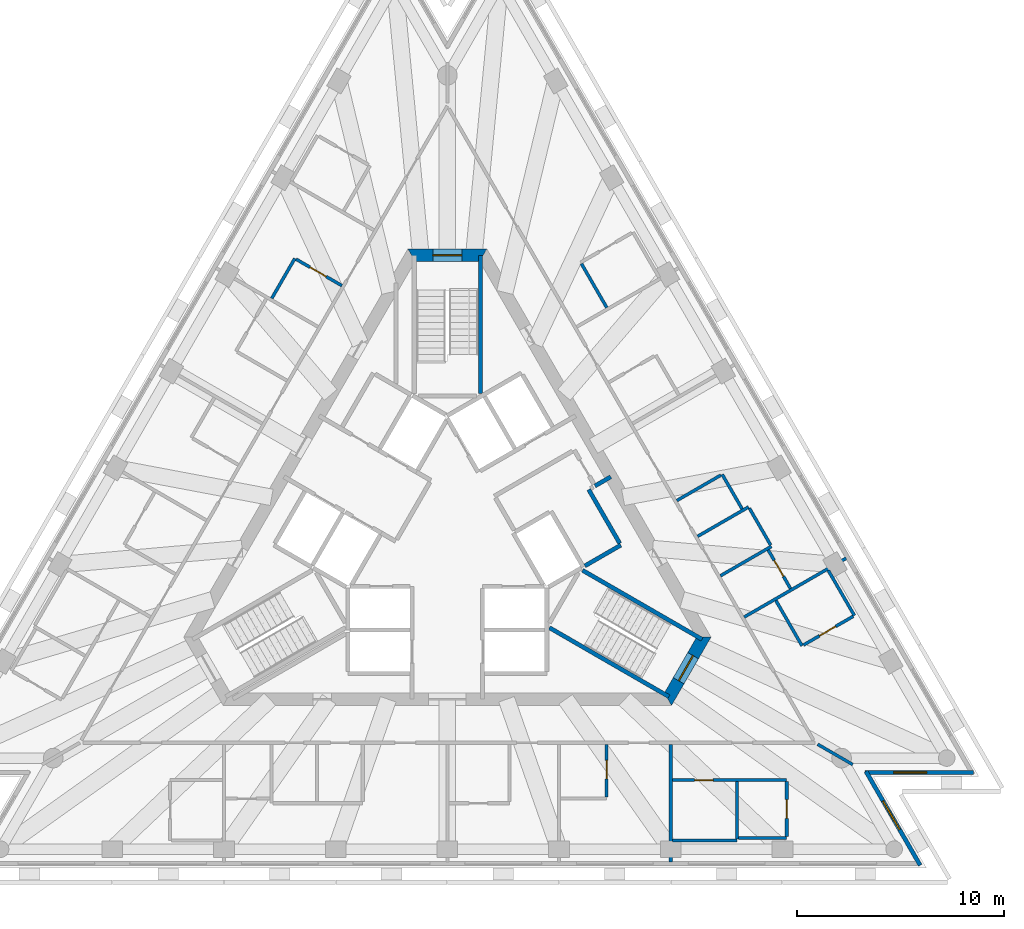
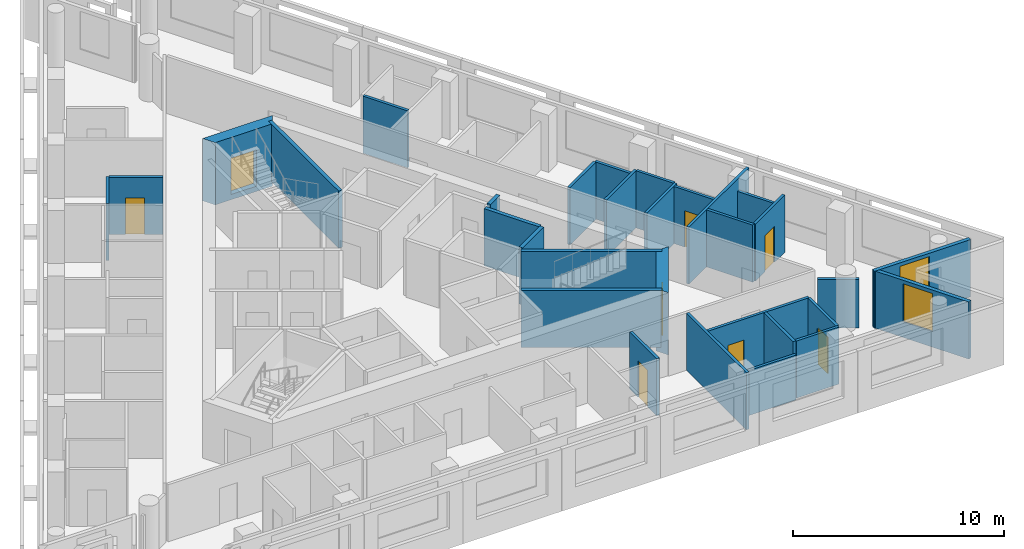
# One storey, part 6 of 10: 31 walls, 8 doors, 2 windows, 10 openings.
"""IFC4 building model written with IfcOpenShell, lengths in metres."""

from ifc_helpers import new_model, si_unit, direction, frame, frame_2d, origin, place, context, subcontext, project, spatial, polyline, rectangle, outline, extrude, material, layer, layer_set, layer_usage, type_object, element, fill, save


model = new_model("IFC4")

# Units and contexts
model_context = context("Model", 3, precision=1e-05, world=origin(), true_north=direction((0.0, 1.0)))
body_context = subcontext(model_context, "Body", "Model", "MODEL_VIEW")
ifc_project = project(units=[si_unit("LENGTHUNIT", "METRE"), si_unit("AREAUNIT", "SQUARE_METRE"), si_unit("VOLUMEUNIT", "CUBIC_METRE"), si_unit("PLANEANGLEUNIT", "RADIAN"), si_unit("MASSUNIT", "GRAM", prefix="KILO")], contexts=[model_context])

# Site, building, storey
site_placement = place(None, origin())
site = spatial("IfcSite", under=ifc_project, at=site_placement, CompositionType="ELEMENT")
building_placement = place(site_placement, origin())
building = spatial("IfcBuilding", under=site, at=building_placement, Name="Triada Interchange Tower", CompositionType="ELEMENT")
storey_placement = place(building_placement, frame((0.0, 0.0, 289.89990234375)))
storey = spatial("IfcBuildingStorey", under=building, at=storey_placement, Name="L68", CompositionType="ELEMENT", Elevation=289.89990234375)

# Walls
ifc_material_1 = material(Name="Concrete C30/37", Category="concrete")
ifc_layer_1 = layer(ifc_material_1, 0.199951171875)
ifc_layer_set_1 = layer_set([ifc_layer_1], Name="CORE WALL 200 EI 120")
wall_type_1 = type_object("IfcWallType", Name="CORE WALL 200 EI 120", PredefinedType="SOLIDWALL", material=ifc_layer_set_1)
wall_1_placement = place(storey_placement, frame((7.12890625, 2.153076171875, 0.0), z_axis=(0.0, 0.0, 1.0), x_axis=(0.866083962871, 0.499898558967, 0.0)))
element("IfcWall", 1, at=wall_1_placement, inside=storey, type_object=wall_type_1, Name="Wall L68 87", PredefinedType="SOLIDWALL", context=body_context, shape_type="SweptSolid", body=[
    extrude(rectangle(XDim=0.880126953125, YDim=0.199951171875, at=frame_2d((0.43994140625, 0.0))), origin(), (0.0, 0.0, 1.0), 3.300048828125),
])
ifc_layer_2 = layer(ifc_material_1, 0.199951171875)
ifc_layer_set_2 = layer_set([ifc_layer_2], Name="CORE WALL 200 EI 90")
wall_type_2 = type_object("IfcWallType", Name="CORE WALL 200 EI 90", PredefinedType="SOLIDWALL", material=ifc_layer_set_2)
wall_2_placement = place(storey_placement, frame((6.64208984375, -1.7080078125, 0.0), z_axis=(0.0, 0.0, 1.0), x_axis=(0.866043441391, 0.499968756647, 0.0)))
element("IfcWall", 2, at=wall_2_placement, inside=storey, type_object=wall_type_2, Name="Wall L68 109", PredefinedType="SOLIDWALL", context=body_context, shape_type="SweptSolid", body=[
    extrude(rectangle(XDim=2.002197265625, YDim=0.199951171875, at=frame_2d((1.0009765625, 0.0))), origin(), (0.0, 0.0, 1.0), 3.300048828125),
])
wall_3_placement = place(storey_placement, frame((6.825927734375, 1.97802734375, 0.0), z_axis=(0.0, 0.0, 1.0), x_axis=(0.499990139034, -0.866031096941, 0.0)))
element("IfcWall", 3, at=wall_3_placement, inside=storey, type_object=wall_type_2, Name="Wall L68 110", PredefinedType="SOLIDWALL", context=body_context, shape_type="SweptSolid", body=[
    extrude(rectangle(XDim=3.0, YDim=0.199951171875, at=frame_2d((1.5, 0.0))), origin(), (0.0, 0.0, 1.0), 3.300048828125),
])
ifc_layer_3 = layer(ifc_material_1, 0.199951171875)
ifc_layer_set_3 = layer_set([ifc_layer_3], Name="CORE WALL 200 REI 240")
wall_type_3 = type_object("IfcWallType", Name="CORE WALL 200 REI 240", PredefinedType="SOLIDWALL", material=ifc_layer_set_3)
for number, where, z_axis, x_axis, name in (
    (4, (1.60009765625, 6.614990234375, 0.0), (0.0, 0.0, 1.0), (0.0, 1.0, 0.0), "Wall L68 115"),
    (5, (4.928955078125, -4.693115234375, 0.0), (0.0, 0.0, 1.0), (0.866005022404, -0.500035299925, 0.0), "Wall L68 118"),
):
    element("IfcWall", number, at=place(storey_placement, frame(where, z_axis=z_axis, x_axis=x_axis)), inside=storey, type_object=wall_type_3, Name=name, PredefinedType="SOLIDWALL", context=body_context, shape_type="SweptSolid", body=[
        extrude(rectangle(XDim=6.6650390625, YDim=0.199951171875, at=frame_2d((3.33251953125, 0.0))), origin(), (0.0, 0.0, 1.0), 3.300048828125),
    ])
wall_4_placement = place(storey_placement, frame((6.529052734375, -1.922119140625, 0.0), z_axis=(0.0, 0.0, 1.0), x_axis=(0.866068467981, -0.499925403204, 0.0)))
element("IfcWall", 6, at=wall_4_placement, inside=storey, type_object=wall_type_3, Name="Wall L68 120", PredefinedType="SOLIDWALL", context=body_context, shape_type="SweptSolid", body=[
    extrude(rectangle(XDim=6.66455078125, YDim=0.199951171875, at=frame_2d((3.332275390625, 0.0))), origin(), (0.0, 0.0, 1.0), 3.300048828125),
])

# Wall, opening, door
ifc_material_2 = material(Name="Concrete C40/50", Category="concrete")
ifc_layer_4 = layer(ifc_material_2, 0.60009765625)
ifc_layer_set_4 = layer_set([ifc_layer_4], Name="Core wall D 600")
wall_type_4 = type_object("IfcWallType", Name="Core wall D 600", PredefinedType="SHEAR", material=ifc_layer_set_4)
wall_5_placement = place(storey_placement, frame((1.73193359375, 13.300048828125, -0.2998046875), z_axis=(0.0, 0.0, 1.0), x_axis=(-1.0, 0.0, 0.0)))
wall_5 = element("IfcWall", 7, at=wall_5_placement, inside=storey, type_object=wall_type_4, Name="Core wall WD01 L68", PredefinedType="SHEAR", context=body_context, shape_type="SweptSolid", body=[
    extrude(outline(polyline([(-0.173095703125, -0.300048828125), (1.73193359375, -0.300048828125), (3.636962890625, -0.300048828125), (3.291015625, 0.300048828125), (1.73193359375, 0.300048828125), (0.173095703125, 0.300048828125), (-0.173095703125, -0.300048828125)])), origin(), (0.0, 0.0, 1.0), 3.599853515625),
])
opening_1_placement = place(wall_5_placement, frame((1.031982421875, 0.0, 0.300048828125)))
opening_1 = element("IfcOpeningElement", 8, at=opening_1_placement, cuts=wall_5, Name="Opening D68-48", PredefinedType="OPENING", context=body_context, shape_type="SweptSolid", body=[
    extrude(rectangle(XDim=1.39990234375, YDim=2.10009765625, at=frame_2d((0.699951171875, 1.050048828125))), frame((0.0, 0.31005859375, 0.0), z_axis=(0.0, -1.0, 0.0), x_axis=(1.0, 0.0, 0.0)), (0.0, 0.0, 1.0), 0.6201171875),
])
ifc_material_3 = material(Name="Steel S235 door leaf", Category="steel")
door_type_1 = type_object("IfcDoorType", Name="STAIR DOOR 1400 EI2 90-C5S200", OperationType="DOUBLE_DOOR_SINGLE_SWING", PredefinedType="DOOR", material=ifc_material_3)
door_1_placement = place(opening_1_placement, origin())
door_1 = element("IfcDoor", 9, at=door_1_placement, inside=storey, type_object=door_type_1, Name="Door D68-48 L68", OperationType="DOUBLE_DOOR_SINGLE_SWING", OverallHeight=2.10009765625, OverallWidth=1.39990234375, PredefinedType="DOOR", context=body_context, shape_type="SweptSolid", body=[
    extrude(rectangle(XDim=1.39990234375, YDim=2.10009765625, at=frame_2d((0.699951171875, 1.050048828125))), frame((0.0, 0.02490234375, 0.0), z_axis=(0.0, -1.0, 0.0), x_axis=(1.0, 0.0, 0.0)), (0.0, 0.0, 1.0), 0.050048828125),
])
fill(opening_1, door_1)

wall_6_placement = place(storey_placement, frame((10.652099609375, -8.14990234375, -0.2998046875), z_axis=(0.0, 0.0, 1.0), x_axis=(0.49997462182, 0.866040055388, 0.0)))
wall_6 = element("IfcWall", 10, at=wall_6_placement, inside=storey, type_object=wall_type_4, Name="Core wall WD05 L68", PredefinedType="SHEAR", context=body_context, shape_type="SweptSolid", body=[
    extrude(outline(polyline([(-0.173095703125, -0.300048828125), (1.732421875, -0.300537109375), (3.637939453125, -0.301025390625), (3.291015625, 0.300048828125), (1.73193359375, 0.300048828125), (0.173095703125, 0.300048828125), (-0.173095703125, -0.300048828125)])), origin(), (0.0, 0.0, 1.0), 3.599853515625),
])
opening_2_placement = place(wall_6_placement, frame((1.031982421875, 0.0, 0.300048828125)))
opening_2 = element("IfcOpeningElement", 11, at=opening_2_placement, cuts=wall_6, Name="Opening D68-50", PredefinedType="OPENING", context=body_context, shape_type="SweptSolid", body=[
    extrude(rectangle(XDim=1.39990234375, YDim=2.10009765625, at=frame_2d((0.699951171875, 1.050048828125))), frame((0.0, 0.31005859375, 0.0), z_axis=(0.0, -1.0, 0.0), x_axis=(1.0, 0.0, 0.0)), (0.0, 0.0, 1.0), 0.62109375),
])
door_2_placement = place(opening_2_placement, origin())
door_2 = element("IfcDoor", 12, at=door_2_placement, inside=storey, type_object=door_type_1, Name="Door D68-50 L68", OperationType="DOUBLE_DOOR_SINGLE_SWING", OverallHeight=2.10009765625, OverallWidth=1.39990234375, PredefinedType="DOOR", context=body_context, shape_type="SweptSolid", body=[
    extrude(rectangle(XDim=1.39990234375, YDim=2.10009765625, at=frame_2d((0.699951171875, 1.050048828125))), frame((0.0, 0.02490234375, 0.0), z_axis=(0.0, -1.0, 0.0), x_axis=(1.0, 0.0, 0.0)), (0.0, 0.0, 1.0), 0.050048828125),
])
fill(opening_2, door_2)

# Wall, opening, window
ifc_material_4 = material(Name="Cement board")
ifc_layer_5 = layer(ifc_material_4, 0.02001953125, Name="Cement board cladding")
ifc_material_5 = material(Name="Sheathing board")
ifc_layer_6 = layer(ifc_material_5, 0.014892578125, Name="Sheathing board")
ifc_material_6 = material(Name="Mineral wool")
ifc_layer_7 = layer(ifc_material_6, 0.14990234375, Name="Mineral wool between steel studs")
ifc_material_7 = material(Name="Gypsum board")
ifc_layer_8 = layer(ifc_material_7, 0.014892578125, Name="Plasterboard lining")
ifc_layer_set_5 = layer_set([ifc_layer_5, ifc_layer_6, ifc_layer_7, ifc_layer_8], Name="External wall 200")
ifc_layer_usage = layer_usage(ifc_layer_set_5, "AXIS2", "POSITIVE", -0.10009765625)
wall_type_5 = type_object("IfcWallType", Name="External wall 200", PredefinedType="ELEMENTEDWALL", material=ifc_layer_set_5)
wall_7_placement = place(storey_placement, frame((22.8349609375, -16.16796875, 0.0), z_axis=(0.0, 0.0, 1.0), x_axis=(-0.499933584342, 0.866063745487, 0.0)))
wall_7 = element("IfcWall", 13, at=wall_7_placement, inside=storey, type_object=wall_type_5, material=ifc_layer_usage, Name="External wall L68 SE-1", PredefinedType="ELEMENTEDWALL", context=body_context, shape_type="SweptSolid", body=[
    extrude(rectangle(XDim=5.238525390625, YDim=0.199951171875, at=frame_2d((2.619140625, 0.0))), origin(), (0.0, 0.0, 1.0), 3.300048828125),
])
opening_3_placement = place(wall_7_placement, frame((1.989990234375, 0.0, 0.89990234375)))
opening_3 = element("IfcOpeningElement", 14, at=opening_3_placement, cuts=wall_7, Name="Opening WD19", PredefinedType="OPENING", context=body_context, shape_type="SweptSolid", body=[
    extrude(rectangle(XDim=1.60009765625, YDim=2.199951171875, at=frame_2d((0.800048828125, 1.10009765625))), frame((0.0, 0.10986328125, 0.0), z_axis=(0.0, -1.0, 0.0), x_axis=(1.0, 0.0, 0.0)), (0.0, 0.0, 1.0), 0.219970703125),
])
ifc_material_8 = material(Name="Double glazed aluminium window", Category="aluminium")
window_type = type_object("IfcWindowType", Name="Ribbon window D pocket", PartitioningType="SINGLE_PANEL", PredefinedType="WINDOW", material=ifc_material_8)
window_1_placement = place(opening_3_placement, origin())
window_1 = element("IfcWindow", 15, at=window_1_placement, inside=storey, type_object=window_type, Name="Window L68 SE-1 1", OverallHeight=2.199951171875, OverallWidth=1.60009765625, PartitioningType="SINGLE_PANEL", PredefinedType="WINDOW", context=body_context, shape_type="SweptSolid", body=[
    extrude(rectangle(XDim=1.60009765625, YDim=2.199951171875, at=frame_2d((0.800048828125, 1.10009765625))), frame((0.0, 0.030029296875, 0.0), z_axis=(0.0, -1.0, 0.0), x_axis=(1.0, 0.0, 0.0)), (0.0, 0.0, 1.0), 0.06005859375),
])
fill(opening_3, window_1)

wall_8_placement = place(storey_placement, frame((20.160888671875, -11.69189453125, 0.0), z_axis=(0.0, 0.0, 1.0), x_axis=(1.0, 0.0, 0.0)))
wall_8 = element("IfcWall", 16, at=wall_8_placement, inside=storey, type_object=wall_type_5, material=ifc_layer_usage, Name="External wall L68 SE-2", PredefinedType="ELEMENTEDWALL", context=body_context, shape_type="SweptSolid", body=[
    extrude(rectangle(XDim=5.239013671875, YDim=0.199951171875, at=frame_2d((2.61962890625, 0.0))), origin(), (0.0, 0.0, 1.0), 3.300048828125),
])
opening_4_placement = place(wall_8_placement, frame((1.389892578125, 0.0, 0.89990234375)))
opening_4 = element("IfcOpeningElement", 17, at=opening_4_placement, cuts=wall_8, Name="Opening WD20", PredefinedType="OPENING", context=body_context, shape_type="SweptSolid", body=[
    extrude(rectangle(XDim=1.60009765625, YDim=2.199951171875, at=frame_2d((0.800048828125, 1.10009765625))), frame((0.0, 0.10986328125, 0.0), z_axis=(0.0, -1.0, 0.0), x_axis=(1.0, 0.0, 0.0)), (0.0, 0.0, 1.0), 0.219970703125),
])
window_2_placement = place(opening_4_placement, origin())
window_2 = element("IfcWindow", 18, at=window_2_placement, inside=storey, type_object=window_type, Name="Window L68 SE-2 1", OverallHeight=2.199951171875, OverallWidth=1.60009765625, PartitioningType="SINGLE_PANEL", PredefinedType="WINDOW", context=body_context, shape_type="SweptSolid", body=[
    extrude(rectangle(XDim=1.60009765625, YDim=2.199951171875, at=frame_2d((0.800048828125, 1.10009765625))), frame((0.0, 0.030029296875, 0.0), z_axis=(0.0, -1.0, 0.0), x_axis=(1.0, 0.0, 0.0)), (0.0, 0.0, 1.0), 0.06005859375),
])
fill(opening_4, window_2)

# Walls
ifc_material_9 = material(Name="Gypsum board partition")
ifc_layer_9 = layer(ifc_material_9, 0.14990234375)
ifc_layer_set_6 = layer_set([ifc_layer_9], Name="PARTITION 150 EI 180")
wall_type_6 = type_object("IfcWallType", Name="PARTITION 150 EI 180", PredefinedType="PARTITIONING", material=ifc_layer_set_6)
wall_9_placement = place(storey_placement, frame((17.883056640625, -10.324951171875, 0.0), z_axis=(0.0, 0.0, 1.0), x_axis=(0.865973311606, -0.500090215447, 0.0)))
element("IfcWall", 19, at=wall_9_placement, inside=storey, type_object=wall_type_6, Name="Wall L68 8", PredefinedType="PARTITIONING", context=body_context, shape_type="SweptSolid", body=[
    extrude(rectangle(XDim=1.953857421875, YDim=0.14990234375, at=frame_2d((0.97705078125, 0.0))), origin(), (0.0, 0.0, 1.0), 2.800048828125),
])
wall_10_placement = place(storey_placement, frame((10.7890625, -16.010009765625, 0.0), z_axis=(0.0, 0.0, 1.0), x_axis=(0.0, 1.0, 0.0)))
element("IfcWall", 20, at=wall_10_placement, inside=storey, type_object=wall_type_6, Name="Wall L68 21", PredefinedType="PARTITIONING", context=body_context, shape_type="SweptSolid", body=[
    extrude(rectangle(XDim=5.68505859375, YDim=0.14990234375, at=frame_2d((2.842529296875, 0.0))), origin(), (0.0, 0.0, 1.0), 3.300048828125),
])
wall_11_placement = place(storey_placement, frame((13.27294921875, 2.7109375, 0.0), z_axis=(0.0, 0.0, 1.0), x_axis=(0.499671230855, -0.86621513555, 0.0)))
element("IfcWall", 21, at=wall_11_placement, inside=storey, type_object=wall_type_6, Name="Wall L68 22", PredefinedType="PARTITIONING", context=body_context, shape_type="SweptSolid", body=[
    extrude(rectangle(XDim=1.925537109375, YDim=0.14990234375, at=frame_2d((0.962890625, 0.0))), origin(), (0.0, 0.0, 1.0), 3.300048828125),
])
wall_12_placement = place(storey_placement, frame((11.0859375, 1.447998046875, 0.0), z_axis=(0.0, 0.0, 1.0), x_axis=(0.8660395779, 0.499975448907, 0.0)))
element("IfcWall", 22, at=wall_12_placement, inside=storey, type_object=wall_type_6, Name="Wall L68 23", PredefinedType="PARTITIONING", context=body_context, shape_type="SweptSolid", body=[
    extrude(rectangle(XDim=2.4501953125, YDim=0.14990234375, at=frame_2d((1.22509765625, 0.0))), origin(), (0.0, 0.0, 1.0), 3.300048828125),
])
wall_13_placement = place(storey_placement, frame((12.0859375, -0.283935546875, 0.0), z_axis=(0.0, 0.0, 1.0), x_axis=(0.865995540999, 0.500051720295, 0.0)))
element("IfcWall", 23, at=wall_13_placement, inside=storey, type_object=wall_type_6, Name="Wall L68 24", PredefinedType="PARTITIONING", context=body_context, shape_type="SweptSolid", body=[
    extrude(rectangle(XDim=2.845458984375, YDim=0.14990234375, at=frame_2d((1.4228515625, 0.0))), origin(), (0.0, 0.0, 1.0), 3.300048828125),
])
wall_14_placement = place(storey_placement, frame((13.18603515625, -2.18896484375, 0.0), z_axis=(0.0, 0.0, 1.0), x_axis=(0.866122712398, 0.499831418649, 0.0)))
element("IfcWall", 24, at=wall_14_placement, inside=storey, type_object=wall_type_6, Name="Wall L68 25", PredefinedType="PARTITIONING", context=body_context, shape_type="SweptSolid", body=[
    extrude(rectangle(XDim=2.8447265625, YDim=0.14990234375, at=frame_2d((1.42236328125, 0.0))), origin(), (0.0, 0.0, 1.0), 3.300048828125),
])
wall_15_placement = place(storey_placement, frame((14.3359375, -4.180908203125, 0.0), z_axis=(0.0, 0.0, 1.0), x_axis=(0.86606758311, 0.499926936147, 0.0)))
element("IfcWall", 25, at=wall_15_placement, inside=storey, type_object=wall_type_6, Name="Wall L68 26", PredefinedType="PARTITIONING", context=body_context, shape_type="SweptSolid", body=[
    extrude(rectangle(XDim=5.684326171875, YDim=0.14990234375, at=frame_2d((2.84228515625, 0.0))), origin(), (0.0, 0.0, 1.0), 3.300048828125),
])
wall_16_placement = place(storey_placement, frame((14.587890625, 1.073974609375, 0.0), z_axis=(0.0, 0.0, 1.0), x_axis=(0.499942325911, -0.866058699375, 0.0)))
element("IfcWall", 26, at=wall_16_placement, inside=storey, type_object=wall_type_6, Name="Wall L68 27", PredefinedType="PARTITIONING", context=body_context, shape_type="SweptSolid", body=[
    extrude(rectangle(XDim=2.050537109375, YDim=0.14990234375, at=frame_2d((1.025390625, 0.0))), origin(), (0.0, 0.0, 1.0), 3.300048828125),
])
ifc_layer_10 = layer(ifc_material_9, 0.14990234375)
ifc_layer_set_7 = layer_set([ifc_layer_10], Name="PARTITION 150 EI 90")
wall_type_7 = type_object("IfcWallType", Name="PARTITION 150 EI 90", PredefinedType="PARTITIONING", material=ifc_layer_set_7)
wall_17_placement = place(storey_placement, frame((-8.47998046875, 11.2119140625, 0.0), z_axis=(0.0, 0.0, 1.0), x_axis=(0.499833278392, 0.866121639155, 0.0)))
element("IfcWall", 27, at=wall_17_placement, inside=storey, type_object=wall_type_7, Name="Wall L68 39", PredefinedType="PARTITIONING", context=body_context, shape_type="SweptSolid", body=[
    extrude(rectangle(XDim=2.224853515625, YDim=0.14990234375, at=frame_2d((1.1123046875, 0.0))), origin(), (0.0, 0.0, 1.0), 3.300048828125),
])

# Wall, opening, door
wall_18_placement = place(storey_placement, frame((10.864013671875, -12.050048828125, 0.0), z_axis=(0.0, 0.0, 1.0), x_axis=(1.0, 0.0, 0.0)))
wall_18 = element("IfcWall", 28, at=wall_18_placement, inside=storey, type_object=wall_type_7, Name="Wall L68 42", PredefinedType="PARTITIONING", context=body_context, shape_type="SweptSolid", body=[
    extrude(rectangle(XDim=5.52490234375, YDim=0.14990234375, at=frame_2d((2.762451171875, 0.0))), origin(), (0.0, 0.0, 1.0), 3.300048828125),
])
opening_5_placement = place(wall_18_placement, frame((1.074951171875, 0.0, 0.0)))
opening_5 = element("IfcOpeningElement", 29, at=opening_5_placement, cuts=wall_18, Name="Opening D68-22", PredefinedType="OPENING", context=body_context, shape_type="SweptSolid", body=[
    extrude(rectangle(XDim=0.89990234375, YDim=2.10009765625, at=frame_2d((0.449951171875, 1.050048828125))), frame((0.0, 0.0849609375, 0.0), z_axis=(0.0, -1.0, 0.0), x_axis=(1.0, 0.0, 0.0)), (0.0, 0.0, 1.0), 0.169921875),
])
door_type_2 = type_object("IfcDoorType", Name="ROOM DOOR 900 EI2 45-C5S200", OperationType="NOTDEFINED", PredefinedType="DOOR", material=ifc_material_3)
door_3_placement = place(opening_5_placement, origin())
door_3 = element("IfcDoor", 30, at=door_3_placement, inside=storey, type_object=door_type_2, Name="Door D68-22 L68", OperationType="SINGLE_SWING_RIGHT", OverallHeight=2.10009765625, OverallWidth=0.89990234375, PredefinedType="DOOR", context=body_context, shape_type="SweptSolid", body=[
    extrude(rectangle(XDim=0.89990234375, YDim=2.10009765625, at=frame_2d((0.449951171875, 1.050048828125))), frame((0.0, 0.02490234375, 0.0), z_axis=(0.0, -1.0, 0.0), x_axis=(1.0, 0.0, 0.0)), (0.0, 0.0, 1.0), 0.050048828125),
])
fill(opening_5, door_3)

# Wall
wall_19_placement = place(storey_placement, frame((10.864013671875, -14.969970703125, 0.0), z_axis=(0.0, 0.0, 1.0), x_axis=(1.0, 0.0, 0.0)))
element("IfcWall", 31, at=wall_19_placement, inside=storey, type_object=wall_type_7, Name="Wall L68 45", PredefinedType="PARTITIONING", context=body_context, shape_type="SweptSolid", body=[
    extrude(rectangle(XDim=3.125, YDim=0.14990234375, at=frame_2d((1.5625, 0.0))), origin(), (0.0, 0.0, 1.0), 2.60009765625),
])

# Wall, opening, door
wall_20_placement = place(storey_placement, frame((7.694091796875, -12.875, 0.0), z_axis=(0.0, 0.0, 1.0), x_axis=(0.0, 1.0, 0.0)))
wall_20 = element("IfcWall", 32, at=wall_20_placement, inside=storey, type_object=wall_type_7, Name="Wall L68 52", PredefinedType="PARTITIONING", context=body_context, shape_type="SweptSolid", body=[
    extrude(rectangle(XDim=2.550048828125, YDim=0.14990234375, at=frame_2d((1.27490234375, 0.0))), origin(), (0.0, 0.0, 1.0), 3.300048828125),
])
opening_6_placement = place(wall_20_placement, frame((0.875, 0.0, 0.0)))
opening_6 = element("IfcOpeningElement", 33, at=opening_6_placement, cuts=wall_20, Name="Opening D68-20", PredefinedType="OPENING", context=body_context, shape_type="SweptSolid", body=[
    extrude(rectangle(XDim=0.89990234375, YDim=2.10009765625, at=frame_2d((0.449951171875, 1.050048828125))), frame((0.0, 0.0849609375, 0.0), z_axis=(0.0, -1.0, 0.0), x_axis=(1.0, 0.0, 0.0)), (0.0, 0.0, 1.0), 0.169921875),
])
door_4_placement = place(opening_6_placement, origin())
door_4 = element("IfcDoor", 34, at=door_4_placement, inside=storey, type_object=door_type_2, Name="Door D68-20 L68", OperationType="SINGLE_SWING_RIGHT", OverallHeight=2.10009765625, OverallWidth=0.89990234375, PredefinedType="DOOR", context=body_context, shape_type="SweptSolid", body=[
    extrude(rectangle(XDim=0.89990234375, YDim=2.10009765625, at=frame_2d((0.449951171875, 1.050048828125))), frame((0.0, 0.02490234375, 0.0), z_axis=(0.0, -1.0, 0.0), x_axis=(1.0, 0.0, 0.0)), (0.0, 0.0, 1.0), 0.050048828125),
])
fill(opening_6, door_4)

wall_21_placement = place(storey_placement, frame((15.4970703125, -0.94189453125, 0.0), z_axis=(0.0, 0.0, 1.0), x_axis=(0.499961633463, -0.866047553582, 0.0)))
wall_21 = element("IfcWall", 35, at=wall_21_placement, inside=storey, type_object=wall_type_7, Name="Wall L68 54", PredefinedType="PARTITIONING", context=body_context, shape_type="SweptSolid", body=[
    extrude(rectangle(XDim=2.150146484375, YDim=0.14990234375, at=frame_2d((1.0751953125, 0.0))), origin(), (0.0, 0.0, 1.0), 3.300048828125),
])
opening_7_placement = place(wall_21_placement, frame((0.574951171875, 0.0, 0.0)))
opening_7 = element("IfcOpeningElement", 36, at=opening_7_placement, cuts=wall_21, Name="Opening D68-27", PredefinedType="OPENING", context=body_context, shape_type="SweptSolid", body=[
    extrude(rectangle(XDim=0.89990234375, YDim=2.10009765625, at=frame_2d((0.449951171875, 1.050048828125))), frame((0.0, 0.0849609375, 0.0), z_axis=(0.0, -1.0, 0.0), x_axis=(1.0, 0.0, 0.0)), (0.0, 0.0, 1.0), 0.169921875),
])
door_5_placement = place(opening_7_placement, origin())
door_5 = element("IfcDoor", 37, at=door_5_placement, inside=storey, type_object=door_type_2, Name="Door D68-27 L68", OperationType="SINGLE_SWING_LEFT", OverallHeight=2.10009765625, OverallWidth=0.89990234375, PredefinedType="DOOR", context=body_context, shape_type="SweptSolid", body=[
    extrude(rectangle(XDim=0.89990234375, YDim=2.10009765625, at=frame_2d((0.449951171875, 1.050048828125))), frame((0.0, 0.02490234375, 0.0), z_axis=(0.0, -1.0, 0.0), x_axis=(1.0, 0.0, 0.0)), (0.0, 0.0, 1.0), 0.050048828125),
])
fill(opening_7, door_5)

# Walls
wall_22_placement = place(storey_placement, frame((18.39599609375, -1.924072265625, 0.0), z_axis=(0.0, 0.0, 1.0), x_axis=(0.500246986138, -0.865882759304, 0.0)))
element("IfcWall", 38, at=wall_22_placement, inside=storey, type_object=wall_type_7, Name="Wall L68 57", PredefinedType="PARTITIONING", context=body_context, shape_type="SweptSolid", body=[
    extrude(rectangle(XDim=2.524658203125, YDim=0.14990234375, at=frame_2d((1.26220703125, 0.0))), origin(), (0.0, 0.0, 1.0), 2.60009765625),
])
wall_23_placement = place(storey_placement, frame((6.47607421875, 12.884033203125, 0.0), z_axis=(0.0, 0.0, 1.0), x_axis=(0.499900713578, -0.866082719239, 0.0)))
element("IfcWall", 39, at=wall_23_placement, inside=storey, type_object=wall_type_7, Name="Wall L68 59", PredefinedType="PARTITIONING", context=body_context, shape_type="SweptSolid", body=[
    extrude(rectangle(XDim=2.4501953125, YDim=0.14990234375, at=frame_2d((1.22509765625, 0.0))), origin(), (0.0, 0.0, 1.0), 3.300048828125),
])
wall_24_placement = place(storey_placement, frame((15.867919921875, -3.384033203125, 0.0), z_axis=(0.0, 0.0, 1.0), x_axis=(0.499956887143, -0.866050293573, 0.0)))
element("IfcWall", 40, at=wall_24_placement, inside=storey, type_object=wall_type_7, Name="Wall L68 60", PredefinedType="PARTITIONING", context=body_context, shape_type="SweptSolid", body=[
    extrude(rectangle(XDim=2.524169921875, YDim=0.14990234375, at=frame_2d((1.26220703125, 0.0))), origin(), (0.0, 0.0, 1.0), 3.300048828125),
])
wall_25_placement = place(storey_placement, frame((13.989013671875, -14.89501953125, 0.0), z_axis=(0.0, 0.0, 1.0), x_axis=(0.0, 1.0, 0.0)))
element("IfcWall", 41, at=wall_25_placement, inside=storey, type_object=wall_type_7, Name="Wall L68 61", PredefinedType="PARTITIONING", context=body_context, shape_type="SweptSolid", body=[
    extrude(rectangle(XDim=2.77001953125, YDim=0.14990234375, at=frame_2d((1.385009765625, 0.0))), origin(), (0.0, 0.0, 1.0), 3.300048828125),
])
wall_26_placement = place(storey_placement, frame((14.06396484375, -14.85009765625, 0.0), z_axis=(0.0, 0.0, 1.0), x_axis=(1.0, 0.0, 0.0)))
element("IfcWall", 42, at=wall_26_placement, inside=storey, type_object=wall_type_7, Name="Wall L68 62", PredefinedType="PARTITIONING", context=body_context, shape_type="SweptSolid", body=[
    extrude(rectangle(XDim=2.324951171875, YDim=0.14990234375, at=frame_2d((1.16259765625, 0.0))), origin(), (0.0, 0.0, 1.0), 3.300048828125),
])

# Wall, opening, door
wall_27_placement = place(storey_placement, frame((16.388916015625, -14.77490234375, 0.0), z_axis=(0.0, 0.0, 1.0), x_axis=(0.0, 1.0, 0.0)))
wall_27 = element("IfcWall", 43, at=wall_27_placement, inside=storey, type_object=wall_type_7, Name="Wall L68 63", PredefinedType="PARTITIONING", context=body_context, shape_type="SweptSolid", body=[
    extrude(rectangle(XDim=2.64990234375, YDim=0.14990234375, at=frame_2d((1.324951171875, 0.0))), origin(), (0.0, 0.0, 1.0), 3.300048828125),
])
opening_8_placement = place(wall_27_placement, frame((0.875, 0.0, 0.0)))
opening_8 = element("IfcOpeningElement", 44, at=opening_8_placement, cuts=wall_27, Name="Opening D68-23", PredefinedType="OPENING", context=body_context, shape_type="SweptSolid", body=[
    extrude(rectangle(XDim=0.89990234375, YDim=2.10009765625, at=frame_2d((0.449951171875, 1.050048828125))), frame((0.0, 0.0849609375, 0.0), z_axis=(0.0, -1.0, 0.0), x_axis=(1.0, 0.0, 0.0)), (0.0, 0.0, 1.0), 0.169921875),
])
door_type_3 = type_object("IfcDoorType", Name="SERVICE DOOR 900 EI2 45-C5S200", OperationType="NOTDEFINED", PredefinedType="DOOR", material=ifc_material_3)
door_6_placement = place(opening_8_placement, origin())
door_6 = element("IfcDoor", 45, at=door_6_placement, inside=storey, type_object=door_type_3, Name="Door D68-23 L68", OperationType="SINGLE_SWING_LEFT", OverallHeight=2.10009765625, OverallWidth=0.89990234375, PredefinedType="DOOR", context=body_context, shape_type="SweptSolid", body=[
    extrude(rectangle(XDim=0.89990234375, YDim=2.10009765625, at=frame_2d((0.449951171875, 1.050048828125))), frame((0.0, 0.02490234375, 0.0), z_axis=(0.0, -1.0, 0.0), x_axis=(1.0, 0.0, 0.0)), (0.0, 0.0, 1.0), 0.050048828125),
])
fill(opening_8, door_6)

wall_28_placement = place(storey_placement, frame((17.195068359375, -5.532958984375, 0.0), z_axis=(0.0, 0.0, 1.0), x_axis=(0.866027073272, 0.499997108352, 0.0)))
wall_28 = element("IfcWall", 46, at=wall_28_placement, inside=storey, type_object=wall_type_7, Name="Wall L68 64", PredefinedType="PARTITIONING", context=body_context, shape_type="SweptSolid", body=[
    extrude(rectangle(XDim=2.77001953125, YDim=0.14990234375, at=frame_2d((1.385009765625, 0.0))), origin(), (0.0, 0.0, 1.0), 3.300048828125),
])
opening_9_placement = place(wall_28_placement, frame((0.89501953125, 0.0, 0.0)))
opening_9 = element("IfcOpeningElement", 47, at=opening_9_placement, cuts=wall_28, Name="Opening D68-25", PredefinedType="OPENING", context=body_context, shape_type="SweptSolid", body=[
    extrude(rectangle(XDim=0.89990234375, YDim=2.10009765625, at=frame_2d((0.449951171875, 1.050048828125))), frame((0.0, 0.0849609375, 0.0), z_axis=(0.0, -1.0, 0.0), x_axis=(1.0, 0.0, 0.0)), (0.0, 0.0, 1.0), 0.169921875),
])
door_7_placement = place(opening_9_placement, origin())
door_7 = element("IfcDoor", 48, at=door_7_placement, inside=storey, type_object=door_type_2, Name="Door D68-25 L68", OperationType="SINGLE_SWING_RIGHT", OverallHeight=2.10009765625, OverallWidth=0.89990234375, PredefinedType="DOOR", context=body_context, shape_type="SweptSolid", body=[
    extrude(rectangle(XDim=0.89990234375, YDim=2.10009765625, at=frame_2d((0.449951171875, 1.050048828125))), frame((0.0, 0.02490234375, 0.0), z_axis=(0.0, -1.0, 0.0), x_axis=(1.0, 0.0, 0.0)), (0.0, 0.0, 1.0), 0.050048828125),
])
fill(opening_9, door_7)

wall_29_placement = place(storey_placement, frame((-7.302978515625, 13.10107421875, 0.0), z_axis=(0.0, 0.0, 1.0), x_axis=(0.866061263272, -0.499937884402, 0.0)))
wall_29 = element("IfcWall", 49, at=wall_29_placement, inside=storey, type_object=wall_type_7, Name="Wall L68 65", PredefinedType="PARTITIONING", context=body_context, shape_type="SweptSolid", body=[
    extrude(rectangle(XDim=2.550537109375, YDim=0.14990234375, at=frame_2d((1.275390625, 0.0))), origin(), (0.0, 0.0, 1.0), 3.300048828125),
])
opening_10_placement = place(wall_29_placement, frame((0.77490234375, 0.0, 0.0)))
opening_10 = element("IfcOpeningElement", 50, at=opening_10_placement, cuts=wall_29, Name="Opening D68-37", PredefinedType="OPENING", context=body_context, shape_type="SweptSolid", body=[
    extrude(rectangle(XDim=0.89990234375, YDim=2.10009765625, at=frame_2d((0.449951171875, 1.050048828125))), frame((0.0, 0.0849609375, 0.0), z_axis=(0.0, -1.0, 0.0), x_axis=(1.0, 0.0, 0.0)), (0.0, 0.0, 1.0), 0.169921875),
])
door_8_placement = place(opening_10_placement, origin())
door_8 = element("IfcDoor", 51, at=door_8_placement, inside=storey, type_object=door_type_2, Name="Door D68-37 L68", OperationType="SINGLE_SWING_LEFT", OverallHeight=2.10009765625, OverallWidth=0.89990234375, PredefinedType="DOOR", context=body_context, shape_type="SweptSolid", body=[
    extrude(rectangle(XDim=0.89990234375, YDim=2.10009765625, at=frame_2d((0.449951171875, 1.050048828125))), frame((0.0, 0.02490234375, 0.0), z_axis=(0.0, -1.0, 0.0), x_axis=(1.0, 0.0, 0.0)), (0.0, 0.0, 1.0), 0.050048828125),
])
fill(opening_10, door_8)

save(model, "model.ifc")
